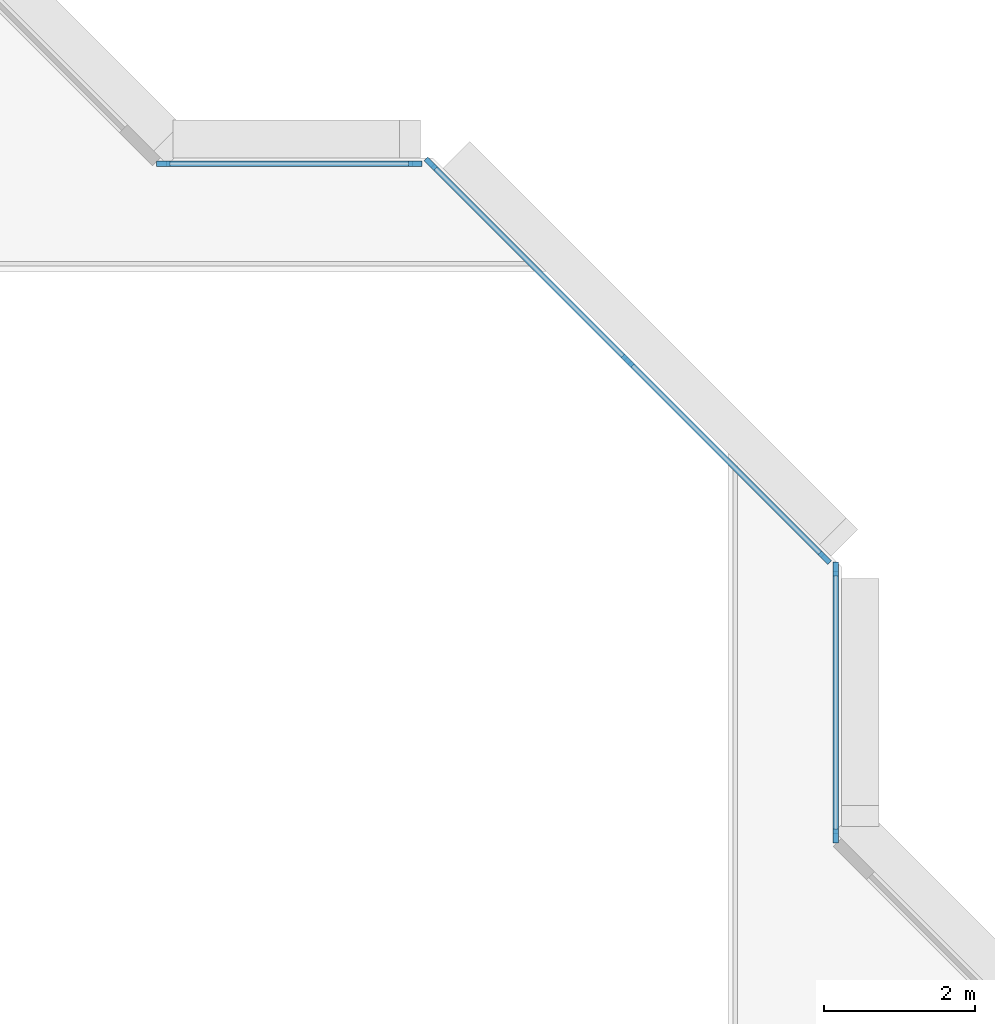
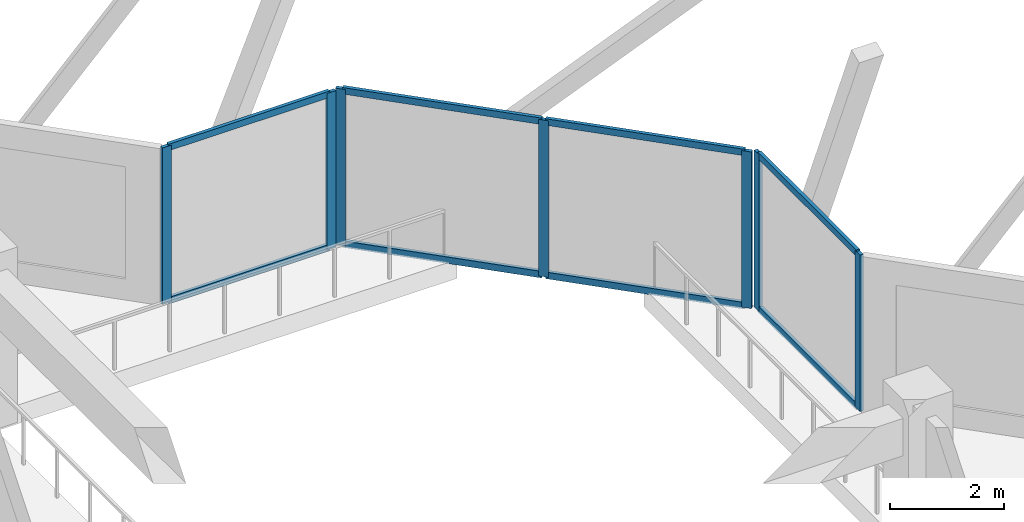
# One storey, part 2 of 15: 15 members, 3 elements without a shape of their own.
"""IFC4 building model written with IfcOpenShell, lengths in metres."""

from ifc_helpers import new_model, si_unit, direction, frame, origin, origin_2d, place, context, subcontext, project, spatial, rectangle, extrude, material, layer, layer_set, material_profile, profile_set, type_object, element, aggregate, save


model = new_model("IFC4")

# Units and contexts
model_context = context("Model", 3, precision=1e-05, world=origin(), true_north=direction((0.0, 1.0)))
body_context = subcontext(model_context, "Body", "Model", "MODEL_VIEW")
ifc_project = project(units=[si_unit("LENGTHUNIT", "METRE"), si_unit("AREAUNIT", "SQUARE_METRE"), si_unit("VOLUMEUNIT", "CUBIC_METRE"), si_unit("PLANEANGLEUNIT", "RADIAN"), si_unit("MASSUNIT", "GRAM", prefix="KILO")], contexts=[model_context])

# Site, building, storey
site_placement = place(None, origin())
site = spatial("IfcSite", under=ifc_project, at=site_placement, CompositionType="ELEMENT")
building_placement = place(site_placement, origin())
building = spatial("IfcBuilding", under=site, at=building_placement, Name="Chenar Terraces", CompositionType="ELEMENT")
storey_placement = place(building_placement, frame((0.0, 0.0, 172.39990234375)))
storey = spatial("IfcBuildingStorey", under=building, at=storey_placement, Name="L39", CompositionType="ELEMENT", Elevation=172.39990234375)

# Curtain wall, members
ifc_material_1 = material(Name="Aluminium framed glazing", Category="aluminium")
ifc_layer = layer(ifc_material_1, 0.14990234375)
ifc_layer_set = layer_set([ifc_layer], Name="Aluminium framed glazing")
curtain_wall_type = type_object("IfcCurtainWallType", Name="Atrium mid-zone curtain wall", PredefinedType="NOTDEFINED", material=ifc_layer_set)
placement = place(storey_placement, origin())
curtain_wall_1 = element("IfcCurtainWall", 1, at=placement, inside=storey, type_object=curtain_wall_type, Name="Atrium mid-zone curtain wall", PredefinedType="NOTDEFINED")
ifc_material_2 = material(Name="Aluminium", Category="aluminium")
ifc_material_profile_1 = material_profile(ifc_material_2, rectangle(XDim=0.070068359375, YDim=0.179931640625, at=origin_2d()), Name="Atrium mid-zone glazing mullion 70 x 180")
ifc_profile_set_1 = profile_set([ifc_material_profile_1], Name="Aluminium")
member_type_1 = type_object("IfcMemberType", Name="Atrium mid-zone glazing mullion 70 x 180", PredefinedType="MULLION", material=ifc_profile_set_1)
member_1_placement = place(storey_placement, frame((37.425048828125, 28.534912109375, 0.0), z_axis=(0.0, 0.0, 1.0), x_axis=(-1.0, 0.0, 0.0)))
member_1 = element("IfcMember", 2, at=member_1_placement, type_object=member_type_1, Name="CW7-1 mullion 1", PredefinedType="MULLION", context=body_context, shape_type="SweptSolid", body=[
    extrude(rectangle(XDim=0.070068359375, YDim=0.179931640625, at=origin_2d()), origin(), (0.0, 0.0, 1.0), 3.35009765625),
])
member_2_placement = place(storey_placement, frame((37.425048828125, 32.06494140625, 0.0), z_axis=(0.0, 0.0, 1.0), x_axis=(-1.0, 0.0, 0.0)))
member_2 = element("IfcMember", 3, at=member_2_placement, type_object=member_type_1, Name="CW7-1 mullion 2", PredefinedType="MULLION", context=body_context, shape_type="SweptSolid", body=[
    extrude(rectangle(XDim=0.070068359375, YDim=0.179931640625, at=origin_2d()), origin(), (0.0, 0.0, 1.0), 3.35009765625),
])

curtain_wall_2 = element("IfcCurtainWall", 4, at=placement, inside=storey, type_object=curtain_wall_type, Name="Atrium mid-zone curtain wall", PredefinedType="NOTDEFINED")
member_3_placement = place(storey_placement, frame((37.28076171875, 32.213134765625, 0.0), z_axis=(0.0, 0.0, 1.0), x_axis=(-0.707106781187, -0.707106781187, 0.0)))
member_3 = element("IfcMember", 5, at=member_3_placement, type_object=member_type_1, Name="CW7-2 mullion 1", PredefinedType="MULLION", context=body_context, shape_type="SweptSolid", body=[
    extrude(rectangle(XDim=0.070068359375, YDim=0.179931640625, at=origin_2d()), origin(), (0.0, 0.0, 1.0), 3.35009765625),
])
member_4_placement = place(storey_placement, frame((34.67626953125, 34.817626953125, 0.0), z_axis=(0.0, 0.0, 1.0), x_axis=(-0.707106781187, -0.707106781187, 0.0)))
member_4 = element("IfcMember", 6, at=member_4_placement, type_object=member_type_1, Name="CW7-2 mullion 2", PredefinedType="MULLION", context=body_context, shape_type="SweptSolid", body=[
    extrude(rectangle(XDim=0.070068359375, YDim=0.179931640625, at=origin_2d()), origin(), (0.0, 0.0, 1.0), 3.35009765625),
])
member_5_placement = place(storey_placement, frame((32.07177734375, 37.42236328125, 0.0), z_axis=(0.0, 0.0, 1.0), x_axis=(-0.707106781187, -0.707106781187, 0.0)))
member_5 = element("IfcMember", 7, at=member_5_placement, type_object=member_type_1, Name="CW7-2 mullion 3", PredefinedType="MULLION", context=body_context, shape_type="SweptSolid", body=[
    extrude(rectangle(XDim=0.070068359375, YDim=0.179931640625, at=origin_2d()), origin(), (0.0, 0.0, 1.0), 3.35009765625),
])

curtain_wall_3 = element("IfcCurtainWall", 8, at=placement, inside=storey, type_object=curtain_wall_type, Name="Atrium mid-zone curtain wall", PredefinedType="NOTDEFINED")
member_6_placement = place(storey_placement, frame((31.864990234375, 37.425048828125, 0.0), z_axis=(0.0, 0.0, 1.0), x_axis=(0.0, -1.0, 0.0)))
member_6 = element("IfcMember", 9, at=member_6_placement, type_object=member_type_1, Name="CW7-3 mullion 1", PredefinedType="MULLION", context=body_context, shape_type="SweptSolid", body=[
    extrude(rectangle(XDim=0.070068359375, YDim=0.179931640625, at=origin_2d()), origin(), (0.0, 0.0, 1.0), 3.35009765625),
])
member_7_placement = place(storey_placement, frame((28.534912109375, 37.425048828125, 0.0), z_axis=(0.0, 0.0, 1.0), x_axis=(0.0, -1.0, 0.0)))
member_7 = element("IfcMember", 10, at=member_7_placement, type_object=member_type_1, Name="CW7-3 mullion 2", PredefinedType="MULLION", context=body_context, shape_type="SweptSolid", body=[
    extrude(rectangle(XDim=0.070068359375, YDim=0.179931640625, at=origin_2d()), origin(), (0.0, 0.0, 1.0), 3.35009765625),
])

# Member
ifc_material_3 = material(Name="Aluminium", Category="aluminium")
ifc_material_profile_2 = material_profile(ifc_material_3, rectangle(XDim=0.070068359375, YDim=0.139892578125, at=origin_2d()), Name="Atrium mid-zone glazing transom 70 x 140")
ifc_profile_set_2 = profile_set([ifc_material_profile_2], Name="Aluminium")
member_type_2 = type_object("IfcMemberType", Name="Atrium mid-zone glazing transom 70 x 140", PredefinedType="USERDEFINED", material=ifc_profile_set_2)
member_8_placement = place(storey_placement, frame((37.425048828125, 28.570068359375, 0.03515625), z_axis=(0.0, 1.0, 0.0), x_axis=(-1.0, 0.0, 0.0)))
member_8 = element("IfcMember", 11, at=member_8_placement, type_object=member_type_2, Name="CW7-1 transom 1.1", ObjectType="TRANSOM", PredefinedType="USERDEFINED", context=body_context, shape_type="SweptSolid", body=[
    extrude(rectangle(XDim=0.070068359375, YDim=0.139892578125, at=origin_2d()), origin(), (0.0, 0.0, 1.0), 3.4599609375),
])

member_9_placement = place(storey_placement, frame((37.425048828125, 28.570068359375, 3.315185546875), z_axis=(0.0, 1.0, 0.0), x_axis=(-1.0, 0.0, 0.0)))
member_9 = element("IfcMember", 12, at=member_9_placement, type_object=member_type_2, Name="CW7-1 transom 1.2", ObjectType="TRANSOM", PredefinedType="USERDEFINED", context=body_context, shape_type="SweptSolid", body=[
    extrude(rectangle(XDim=0.070068359375, YDim=0.139892578125, at=origin_2d()), origin(), (0.0, 0.0, 1.0), 3.4599609375),
])

aggregate(curtain_wall_1, [member_1, member_2, member_8, member_9])

member_10_placement = place(storey_placement, frame((37.256103515625, 32.23779296875, 0.03515625), z_axis=(-0.707106781187, 0.707106781187, 0.0), x_axis=(-0.707106781187, -0.707106781187, 0.0)))
member_10 = element("IfcMember", 13, at=member_10_placement, type_object=member_type_2, Name="CW7-2 transom 1.1", ObjectType="TRANSOM", PredefinedType="USERDEFINED", context=body_context, shape_type="SweptSolid", body=[
    extrude(rectangle(XDim=0.070068359375, YDim=0.139892578125, at=origin_2d()), origin(), (0.0, 0.0, 1.0), 3.613525390625),
])

member_11_placement = place(storey_placement, frame((37.256103515625, 32.23779296875, 3.315185546875), z_axis=(-0.707106781187, 0.707106781187, 0.0), x_axis=(-0.707106781187, -0.707106781187, 0.0)))
member_11 = element("IfcMember", 14, at=member_11_placement, type_object=member_type_2, Name="CW7-2 transom 1.2", ObjectType="TRANSOM", PredefinedType="USERDEFINED", context=body_context, shape_type="SweptSolid", body=[
    extrude(rectangle(XDim=0.070068359375, YDim=0.139892578125, at=origin_2d()), origin(), (0.0, 0.0, 1.0), 3.613525390625),
])

member_12_placement = place(storey_placement, frame((34.651611328125, 34.842529296875, 0.03515625), z_axis=(-0.707140563131, 0.707072997628, 0.0), x_axis=(-0.707072997628, -0.707140563131, 0.0)))
member_12 = element("IfcMember", 15, at=member_12_placement, type_object=member_type_2, Name="CW7-2 transom 2.1", ObjectType="TRANSOM", PredefinedType="USERDEFINED", context=body_context, shape_type="SweptSolid", body=[
    extrude(rectangle(XDim=0.070068359375, YDim=0.139892578125, at=origin_2d()), origin(), (0.0, 0.0, 1.0), 3.61328125),
])

member_13_placement = place(storey_placement, frame((34.651611328125, 34.842529296875, 3.315185546875), z_axis=(-0.707140563131, 0.707072997628, 0.0), x_axis=(-0.707072997628, -0.707140563131, 0.0)))
member_13 = element("IfcMember", 16, at=member_13_placement, type_object=member_type_2, Name="CW7-2 transom 2.2", ObjectType="TRANSOM", PredefinedType="USERDEFINED", context=body_context, shape_type="SweptSolid", body=[
    extrude(rectangle(XDim=0.070068359375, YDim=0.139892578125, at=origin_2d()), origin(), (0.0, 0.0, 1.0), 3.61328125),
])

aggregate(curtain_wall_2, [member_3, member_4, member_5, member_10, member_11, member_12, member_13])

member_14_placement = place(storey_placement, frame((31.830078125, 37.425048828125, 0.03515625), z_axis=(-1.0, 0.0, 0.0), x_axis=(0.0, -1.0, 0.0)))
member_14 = element("IfcMember", 17, at=member_14_placement, type_object=member_type_2, Name="CW7-3 transom 1.1", ObjectType="TRANSOM", PredefinedType="USERDEFINED", context=body_context, shape_type="SweptSolid", body=[
    extrude(rectangle(XDim=0.070068359375, YDim=0.139892578125, at=origin_2d()), origin(), (0.0, 0.0, 1.0), 3.260009765625),
])

member_15_placement = place(storey_placement, frame((31.830078125, 37.425048828125, 3.315185546875), z_axis=(-1.0, 0.0, 0.0), x_axis=(0.0, -1.0, 0.0)))
member_15 = element("IfcMember", 18, at=member_15_placement, type_object=member_type_2, Name="CW7-3 transom 1.2", ObjectType="TRANSOM", PredefinedType="USERDEFINED", context=body_context, shape_type="SweptSolid", body=[
    extrude(rectangle(XDim=0.070068359375, YDim=0.139892578125, at=origin_2d()), origin(), (0.0, 0.0, 1.0), 3.260009765625),
])

aggregate(curtain_wall_3, [member_6, member_7, member_14, member_15])

save(model, "model.ifc")
